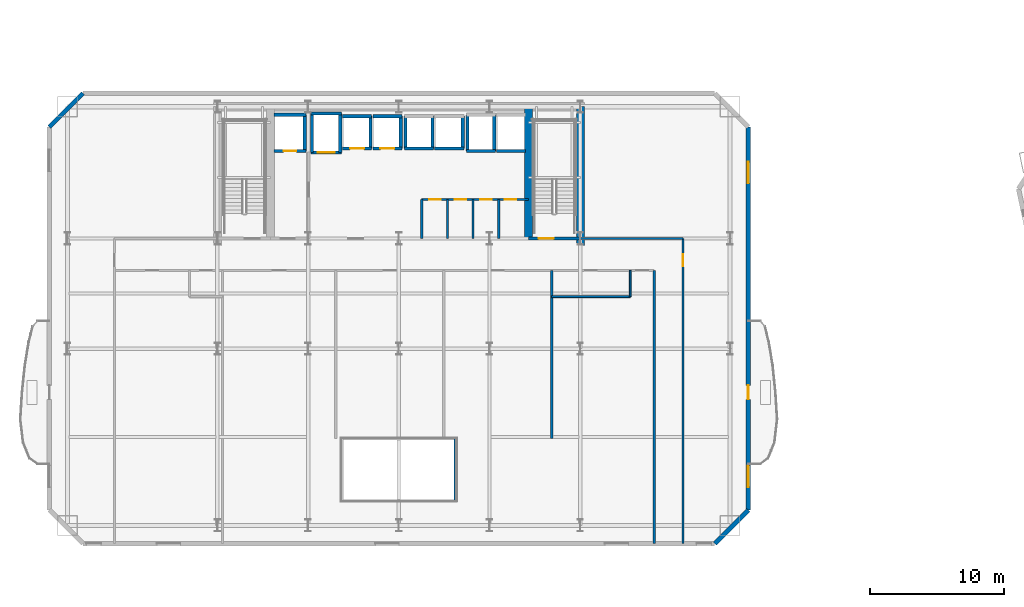
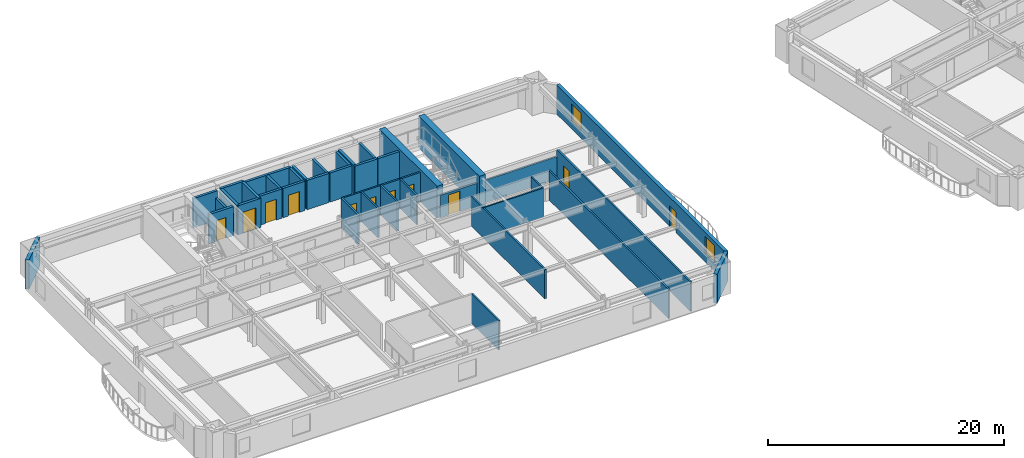
# One storey, part 6 of 15: 40 walls, 11 doors, 2 windows, 13 openings.
"""IFC4 building model written with IfcOpenShell, lengths in metres."""

import ifcopenshell
import ifcopenshell.guid

model = None  # the IFC model being written
_history = None  # IfcOwnerHistory: only IFC2X3 demands one
_inside = {}  # id of a spatial element -> (the spatial element, [elements in it])
_under = {}  # id of a project, library or spatial element -> (it, [spatial elements below it])
_declared = {}  # id of a project -> (the project, [libraries it declares])
_typed = {}  # id of a type object -> (the type object, [elements of that type])
_made_of = {}  # id of a material, layer set ... -> (it, [elements and type objects made of it])


def new_model(schema):
    """Start an empty IFC model of exactly this schema.

    Asked for "IFC4X3", IfcOpenShell would pick the latest addendum, in which some entities
    have other attributes; the version numbers below select the first issue.
    IFC2X3 requires an IfcOwnerHistory on every rooted entity: one is made here for all.
    """
    global model, _history
    if schema == "IFC4X3":
        model = ifcopenshell.file(schema_version=(4, 3, 0, 0))
    else:
        model = ifcopenshell.file(schema=schema)
    _inside.clear()
    _under.clear()
    _declared.clear()
    _typed.clear()
    _made_of.clear()
    _history = None
    if model.schema == "IFC2X3":
        org = make("IfcOrganization", Name="unknown")
        user = make(
            "IfcPersonAndOrganization",
            ThePerson=make("IfcPerson", FamilyName="unknown"),
            TheOrganization=org,
        )
        app = make(
            "IfcApplication",
            ApplicationDeveloper=org,
            Version="unknown",
            ApplicationFullName="unknown",
            ApplicationIdentifier="unknown",
        )
        _history = make(
            "IfcOwnerHistory",
            OwningUser=user,
            OwningApplication=app,
            ChangeAction="ADDED",
            CreationDate=0,
        )
    return model


def make(cls, **values):
    """One entity of the class cls with the attributes given. An attribute that is None is left unset."""
    return model.create_entity(
        cls, **{name: value for name, value in values.items() if value is not None}
    )


def rooted(cls, **values):
    """An entity with a GlobalId (a new one), such as an element, a storey or a relation."""
    return make(cls, GlobalId=ifcopenshell.guid.new(), OwnerHistory=_history, **values)


def si_unit(unit_type, name, prefix=None):
    """IfcSIUnit, for example si_unit("LENGTHUNIT", "METRE", prefix="MILLI")."""
    return make("IfcSIUnit", UnitType=unit_type, Prefix=prefix, Name=name)


def assignment(units):
    """IfcUnitAssignment: the units of a project."""
    return None if units is None else make("IfcUnitAssignment", Units=units)


def point(xyz):
    """IfcCartesianPoint."""
    return None if xyz is None else make("IfcCartesianPoint", Coordinates=xyz)


def direction(xyz):
    """IfcDirection."""
    return None if xyz is None else make("IfcDirection", DirectionRatios=xyz)


def frame(location, z_axis=None, x_axis=None):
    """IfcAxis2Placement3D, a coordinate frame: its origin and axes. An axis left out is left unset."""
    return make(
        "IfcAxis2Placement3D",
        Location=point(location),
        Axis=direction(z_axis),
        RefDirection=direction(x_axis),
    )


def frame_2d(location, x_axis=None):
    """IfcAxis2Placement2D, a coordinate frame in the plane: its origin and x axis."""
    return make(
        "IfcAxis2Placement2D", Location=point(location), RefDirection=direction(x_axis)
    )


def origin():
    """The frame at (0, 0, 0) with its axes left unset."""
    return frame((0.0, 0.0, 0.0))


def place(relative_to, where):
    """IfcLocalPlacement: puts the frame where relative to a parent placement (None: the world)."""
    return make(
        "IfcLocalPlacement", PlacementRelTo=relative_to, RelativePlacement=where
    )


def context(
    kind, dimensions, precision=None, world=None, true_north=None, identifier=None
):
    """IfcGeometricRepresentationContext, for example the 3D "Model" context."""
    return make(
        "IfcGeometricRepresentationContext",
        ContextIdentifier=identifier,
        ContextType=kind,
        CoordinateSpaceDimension=dimensions,
        Precision=precision,
        WorldCoordinateSystem=world,
        TrueNorth=true_north,
    )


def subcontext(parent, identifier, kind, view, scale=None):
    """IfcGeometricRepresentationSubContext, for example "Body" below "Model"."""
    return make(
        "IfcGeometricRepresentationSubContext",
        ContextIdentifier=identifier,
        ContextType=kind,
        ParentContext=parent,
        TargetScale=scale,
        TargetView=view,
    )


def project(units=None, contexts=None):
    """IfcProject with its units and contexts."""
    return rooted(
        "IfcProject",
        Name="project",
        RepresentationContexts=contexts,
        UnitsInContext=assignment(units),
    )


def spatial(cls, under=None, at=None, **own):
    """A site, building, storey or space (cls), placed at a placement, below another one or the project."""
    s = rooted(cls, ObjectPlacement=at, **own)
    if under is not None:
        _under.setdefault(under.id(), (under, []))[1].append(s)
    return s


def profile(cls, at=None, kind="AREA", **sizes):
    """A parametric profile (cls). Its sizes go by their IFC names, for example OverallWidth=200.0."""
    return make(cls, ProfileType=kind, Position=at, **sizes)


def rectangle(**sizes):
    """IfcRectangleProfileDef."""
    return profile("IfcRectangleProfileDef", **sizes)


def extrude(swept, where, along, depth):
    """IfcExtrudedAreaSolid: the profile swept, set in the frame where, extruded along a direction by depth."""
    return make(
        "IfcExtrudedAreaSolid",
        SweptArea=swept,
        Position=where,
        ExtrudedDirection=direction(along),
        Depth=depth,
    )


def shape(context_of_items, identifier, shape_type, items):
    """IfcShapeRepresentation: the items that make up one representation, for example the "Body"."""
    return make(
        "IfcShapeRepresentation",
        ContextOfItems=context_of_items,
        RepresentationIdentifier=identifier,
        RepresentationType=shape_type,
        Items=items,
    )


def material(Name=None, Category=None):
    """IfcMaterial."""
    return make("IfcMaterial", Name=Name, Category=Category)


def layer(
    of_material, thickness, ventilated=None, Name=None, Category=None, Priority=None
):
    """IfcMaterialLayer: one layer of a wall or slab, of a material (None: an air gap)."""
    return make(
        "IfcMaterialLayer",
        Material=of_material,
        LayerThickness=thickness,
        IsVentilated=ventilated,
        Name=Name,
        Category=Category,
        Priority=Priority,
    )


def layer_set(layers, Name=None):
    """IfcMaterialLayerSet."""
    return make("IfcMaterialLayerSet", MaterialLayers=layers, LayerSetName=Name)


def made_of(thing, what):
    """Note that an element or type object is made of a material, layer set ...; save() writes the relation."""
    if what is not None:
        _made_of.setdefault(what.id(), (what, []))[1].append(thing)
    return thing


def type_object(cls, material=None, **own):
    """A type object (cls), such as IfcWallType, which elements share."""
    return made_of(rooted(cls, **own), material)


def element(
    cls,
    number,
    at=None,
    inside=None,
    cuts=None,
    type_object=None,
    material=None,
    context=None,
    identifier="Body",
    shape_type=None,
    held_by="IfcProductDefinitionShape",
    body=None,
    shapes=None,
    **own,
):
    """One element of the class cls, such as IfcWall. Its Tag is "e" and its number.

    at: its placement. inside: the storey or other place that contains it. cuts: it is an
    opening in that element (IfcRelVoidsElement). A single representation is given by context,
    identifier, shape_type and body (its items); several are given by shapes. held_by: the class
    of the entity that holds the representations. save() writes the other relations.
    """
    e = rooted(cls, Tag="e%d" % number, ObjectPlacement=at, **own)
    if body is not None:
        shapes = [shape(context, identifier, shape_type, body)]
    if shapes is not None:
        e.Representation = make(held_by, Representations=shapes)
    if inside is not None:
        _inside.setdefault(inside.id(), (inside, []))[1].append(e)
    if cuts is not None:
        rooted(
            "IfcRelVoidsElement", RelatingBuildingElement=cuts, RelatedOpeningElement=e
        )
    if type_object is not None:
        _typed.setdefault(type_object.id(), (type_object, []))[1].append(e)
    return made_of(e, material)


def fill(opening, filler):
    """IfcRelFillsElement: the door or window that sits in an opening."""
    return rooted(
        "IfcRelFillsElement",
        RelatingOpeningElement=opening,
        RelatedBuildingElement=filler,
    )


def aggregate(whole, parts):
    """IfcRelAggregates: a whole, such as a stair, and the parts it consists of."""
    return rooted("IfcRelAggregates", RelatingObject=whole, RelatedObjects=parts)


def save(model, path):
    """Write the relations noted so far, then the file.

    IfcRelAggregates (storeys below a building ...), IfcRelContainedInSpatialStructure (elements
    in a storey), IfcRelDefinesByType, IfcRelAssociatesMaterial and IfcRelDeclares: one each for
    every whole, place, type object, material and project.
    """
    for whole, parts in _under.values():
        aggregate(whole, parts)
    for where, things in _inside.values():
        rooted(
            "IfcRelContainedInSpatialStructure",
            RelatedElements=things,
            RelatingStructure=where,
        )
    for kind, things in _typed.values():
        rooted("IfcRelDefinesByType", RelatedObjects=things, RelatingType=kind)
    for what, things in _made_of.values():
        rooted("IfcRelAssociatesMaterial", RelatedObjects=things, RelatingMaterial=what)
    for by, libraries in _declared.values():
        rooted("IfcRelDeclares", RelatingContext=by, RelatedDefinitions=libraries)
    model.write(path)


model = new_model("IFC4")

# Units and contexts
model_context = context("Model", 3, precision=1e-05, world=origin(), true_north=direction((0.0, 1.0)))
body_context = subcontext(model_context, "Body", "Model", "MODEL_VIEW")
ifc_project = project(units=[si_unit("LENGTHUNIT", "METRE"), si_unit("AREAUNIT", "SQUARE_METRE"), si_unit("VOLUMEUNIT", "CUBIC_METRE"), si_unit("PLANEANGLEUNIT", "RADIAN"), si_unit("MASSUNIT", "GRAM", prefix="KILO")], contexts=[model_context])

# Site, building, storey
site_placement = place(None, origin())
site = spatial("IfcSite", under=ifc_project, at=site_placement, CompositionType="ELEMENT")
building_placement = place(site_placement, origin())
building = spatial("IfcBuilding", under=site, at=building_placement, Name="Haevon Station Towers", CompositionType="ELEMENT")
storey_placement = place(building_placement, frame((0.0, 0.0, 63.60009765625)))
storey = spatial("IfcBuildingStorey", under=building, at=storey_placement, Name="L16", CompositionType="ELEMENT", Elevation=63.60009765625)

# Wall, opening, door
ifc_material_1 = material(Name="Gypsum board on steel stud", Category="steel")
ifc_layer_1 = layer(ifc_material_1, 0.199951171875)
ifc_layer_set_1 = layer_set([ifc_layer_1], Name="Gypsum board on steel stud")
wall_type_1 = type_object("IfcWallType", Name="WL-COR200", PredefinedType="PARTITIONING", material=ifc_layer_set_1)
wall_1_placement = place(storey_placement, frame((47.14990234375, 38.199951171875, 0.0), z_axis=(0.0, 0.0, 1.0), x_axis=(1.0, 0.0, 0.0)))
wall_1 = element("IfcWall", 1, at=wall_1_placement, inside=storey, type_object=wall_type_1, Name="WL-ST-ST2-L16", PredefinedType="PARTITIONING", context=body_context, shape_type="SweptSolid", body=[
    extrude(rectangle(XDim=3.85009765625, YDim=0.199951171875, at=frame_2d((1.925048828125, 0.0))), origin(), (0.0, 0.0, 1.0), 2.329833984375),
])
opening_1_placement = place(wall_1_placement, frame((0.75, 0.0, 0.0)))
opening_1 = element("IfcOpeningElement", 2, at=opening_1_placement, cuts=wall_1, Name="Opening DR-ST-ST2-L16", PredefinedType="OPENING", context=body_context, shape_type="SweptSolid", body=[
    extrude(rectangle(XDim=1.1201171875, YDim=2.10009765625, at=frame_2d((0.56005859375, 1.050048828125))), frame((0.0, 0.10986328125, 0.0), z_axis=(0.0, -1.0, 0.0), x_axis=(1.0, 0.0, 0.0)), (0.0, 0.0, 1.0), 0.219970703125),
])
ifc_material_2 = material(Name="Engineered oak timber", Category="wood")
door_type_1 = type_object("IfcDoorType", Name="DR-ST-1120", OperationType="NOTDEFINED", PredefinedType="DOOR", material=ifc_material_2)
door_1_placement = place(opening_1_placement, origin())
door_1 = element("IfcDoor", 3, at=door_1_placement, inside=storey, type_object=door_type_1, Name="L16 Escape Stair ST2 Fire Door", OperationType="SINGLE_SWING_RIGHT", OverallHeight=2.10009765625, OverallWidth=1.1201171875, PredefinedType="DOOR", context=body_context, shape_type="SweptSolid", body=[
    extrude(rectangle(XDim=1.1201171875, YDim=2.10009765625, at=frame_2d((0.56005859375, 1.050048828125))), frame((0.0, 0.02490234375, 0.0), z_axis=(0.0, -1.0, 0.0), x_axis=(1.0, 0.0, 0.0)), (0.0, 0.0, 1.0), 0.050048828125),
])
fill(opening_1, door_1)

# Walls
ifc_material_3 = material(Name="Concrete C60/75", Category="concrete")
ifc_layer_2 = layer(ifc_material_3, 0.60009765625)
ifc_layer_set_2 = layer_set([ifc_layer_2], Name="Concrete C60/75")
wall_type_2 = type_object("IfcWallType", Name="WL-CR600", PredefinedType="SHEAR", material=ifc_layer_set_2)
wall_2_placement = place(storey_placement, frame((51.0, 37.679931640625, 0.0), z_axis=(0.0, 0.0, 1.0), x_axis=(0.0, 1.0, 0.0)))
element("IfcWall", 4, at=wall_2_placement, inside=storey, type_object=wall_type_2, Name="WL-T1CR-L16-E", PredefinedType="SHEAR", context=body_context, shape_type="SweptSolid", body=[
    extrude(rectangle(XDim=10.320068359375, YDim=0.60009765625, at=frame_2d((5.16015625, 0.0))), origin(), (0.0, 0.0, 1.0), 3.2998046875),
])
wall_3_placement = place(storey_placement, frame((47.14990234375, 38.199951171875, 0.0), z_axis=(0.0, 0.0, 1.0), x_axis=(0.0, 1.0, 0.0)))
element("IfcWall", 5, at=wall_3_placement, inside=storey, type_object=wall_type_2, Name="WL-T1CR-L16-M2", PredefinedType="SHEAR", context=body_context, shape_type="SweptSolid", body=[
    extrude(rectangle(XDim=9.800048828125, YDim=0.60009765625, at=frame_2d((4.89990234375, 0.0))), origin(), (0.0, 0.0, 1.0), 3.2998046875),
])
ifc_material_4 = material(Name="Precast concrete C45/55", Category="concrete")
ifc_layer_3 = layer(ifc_material_4, 0.340087890625)
ifc_layer_set_3 = layer_set([ifc_layer_3], Name="Precast concrete C45/55")
wall_type_3 = type_object("IfcWallType", Name="WL-EXT-PIER340", PredefinedType="SOLIDWALL", material=ifc_layer_set_3)
wall_4_placement = place(storey_placement, frame((11.5, 46.5, 0.0), z_axis=(0.0, 0.0, 1.0), x_axis=(0.707106781187, 0.707106781187, 0.0)))
element("IfcWall", 6, at=wall_4_placement, inside=storey, type_object=wall_type_3, Name="WL-T1-L16-NWC", PredefinedType="SOLIDWALL", context=body_context, shape_type="SweptSolid", body=[
    extrude(rectangle(XDim=3.53564453125, YDim=0.340087890625, at=frame_2d((1.767822265625, 0.0))), origin(), (0.0, 0.0, 1.0), 3.02978515625),
])

# Wall, openings, door, windows
wall_5_placement = place(storey_placement, frame((63.5, 46.5, 0.0), z_axis=(0.0, 0.0, 1.0), x_axis=(0.0, -1.0, 0.0)))
wall_5 = element("IfcWall", 7, at=wall_5_placement, inside=storey, type_object=wall_type_3, Name="WL-T1-L16-E", PredefinedType="SOLIDWALL", context=body_context, shape_type="SweptSolid", body=[
    extrude(rectangle(XDim=28.5, YDim=0.340087890625, at=frame_2d((14.25, 0.0))), origin(), (0.0, 0.0, 1.0), 3.02978515625),
])
opening_2_placement = place(wall_5_placement, frame((19.22509765625, 0.0, 0.0)))
opening_2 = element("IfcOpeningElement", 8, at=opening_2_placement, cuts=wall_5, Name="Opening DR-T1-SCAL-L16-E", PredefinedType="OPENING", context=body_context, shape_type="SweptSolid", body=[
    extrude(rectangle(XDim=1.050048828125, YDim=2.10009765625, at=frame_2d((0.52490234375, 1.050048828125))), frame((0.0, 0.179931640625, 0.0), z_axis=(0.0, -1.0, 0.0), x_axis=(1.0, 0.0, 0.0)), (0.0, 0.0, 1.0), 0.360107421875),
])
opening_3_placement = place(wall_5_placement, frame((2.607177734375, 0.0, 0.800048828125)))
opening_3 = element("IfcOpeningElement", 9, at=opening_3_placement, cuts=wall_5, Name="Opening WN-END160", PredefinedType="OPENING", context=body_context, shape_type="SweptSolid", body=[
    extrude(rectangle(XDim=1.60009765625, YDim=1.800048828125, at=frame_2d((0.800048828125, 0.89990234375))), frame((0.0, 0.179931640625, 0.0), z_axis=(0.0, -1.0, 0.0), x_axis=(1.0, 0.0, 0.0)), (0.0, 0.0, 1.0), 0.360107421875),
])
opening_4_placement = place(wall_5_placement, frame((25.1962890625, 0.0, 0.800048828125)))
opening_4 = element("IfcOpeningElement", 10, at=opening_4_placement, cuts=wall_5, Name="Opening WN-END160", PredefinedType="OPENING", context=body_context, shape_type="SweptSolid", body=[
    extrude(rectangle(XDim=1.60009765625, YDim=1.800048828125, at=frame_2d((0.800048828125, 0.89990234375))), frame((0.0, 0.179931640625, 0.0), z_axis=(0.0, -1.0, 0.0), x_axis=(1.0, 0.0, 0.0)), (0.0, 0.0, 1.0), 0.360107421875),
])
ifc_material_5 = material(Name="Thermally broken anodised aluminium and laminated safety glass", Category="aluminium")
door_type_2 = type_object("IfcDoorType", Name="DR-BALC-1050", OperationType="NOTDEFINED", PredefinedType="DOOR", material=ifc_material_5)
door_2_placement = place(opening_2_placement, origin())
door_2 = element("IfcDoor", 11, at=door_2_placement, inside=storey, type_object=door_type_2, Name="Tower 1 L16 East Scalloped Balcony Door", OperationType="SINGLE_SWING_RIGHT", OverallHeight=2.10009765625, OverallWidth=1.050048828125, PredefinedType="DOOR", context=body_context, shape_type="SweptSolid", body=[
    extrude(rectangle(XDim=1.050048828125, YDim=2.10009765625, at=frame_2d((0.52490234375, 1.050048828125))), frame((0.0, 0.02490234375, 0.0), z_axis=(0.0, -1.0, 0.0), x_axis=(1.0, 0.0, 0.0)), (0.0, 0.0, 1.0), 0.050048828125),
])
fill(opening_2, door_2)
ifc_material_6 = material(Name="Low-E triple glazing in thermally broken aluminium", Category="aluminium")
window_type = type_object("IfcWindowType", Name="WN-END160", PartitioningType="SINGLE_PANEL", PredefinedType="WINDOW", material=ifc_material_6)
window_1_placement = place(opening_3_placement, origin())
window_1 = element("IfcWindow", 12, at=window_1_placement, inside=storey, type_object=window_type, Name="WN-T1-L16-E01", OverallHeight=1.800048828125, OverallWidth=1.60009765625, PartitioningType="SINGLE_PANEL", PredefinedType="WINDOW", context=body_context, shape_type="SweptSolid", body=[
    extrude(rectangle(XDim=1.60009765625, YDim=1.800048828125, at=frame_2d((0.800048828125, 0.89990234375))), frame((0.0, 0.030029296875, 0.0), z_axis=(0.0, -1.0, 0.0), x_axis=(1.0, 0.0, 0.0)), (0.0, 0.0, 1.0), 0.06005859375),
])
fill(opening_3, window_1)
window_2_placement = place(opening_4_placement, origin())
window_2 = element("IfcWindow", 13, at=window_2_placement, inside=storey, type_object=window_type, Name="WN-T1-L16-E02", OverallHeight=1.800048828125, OverallWidth=1.60009765625, PartitioningType="SINGLE_PANEL", PredefinedType="WINDOW", context=body_context, shape_type="SweptSolid", body=[
    extrude(rectangle(XDim=1.60009765625, YDim=1.800048828125, at=frame_2d((0.800048828125, 0.89990234375))), frame((0.0, 0.030029296875, 0.0), z_axis=(0.0, -1.0, 0.0), x_axis=(1.0, 0.0, 0.0)), (0.0, 0.0, 1.0), 0.06005859375),
])
fill(opening_4, window_2)

# Walls
wall_6_placement = place(storey_placement, frame((63.5, 18.0, 0.0), z_axis=(0.0, 0.0, 1.0), x_axis=(-0.707106781187, -0.707106781187, 0.0)))
element("IfcWall", 14, at=wall_6_placement, inside=storey, type_object=wall_type_3, Name="WL-T1-L16-SEC", PredefinedType="SOLIDWALL", context=body_context, shape_type="SweptSolid", body=[
    extrude(rectangle(XDim=3.53564453125, YDim=0.340087890625, at=frame_2d((1.767822265625, 0.0))), origin(), (0.0, 0.0, 1.0), 3.02978515625),
])
ifc_layer_4 = layer(ifc_material_1, 0.125)
ifc_layer_set_4 = layer_set([ifc_layer_4], Name="Gypsum board on steel stud")
wall_type_4 = type_object("IfcWallType", Name="WL-PRT125", PredefinedType="PARTITIONING", material=ifc_layer_set_4)
wall_7_placement = place(storey_placement, frame((54.719970703125, 33.8701171875, 0.0), z_axis=(0.0, 0.0, 1.0), x_axis=(0.0, 1.0, 0.0)))
element("IfcWall", 15, at=wall_7_placement, inside=storey, type_object=wall_type_4, Name="WL-T1PT-L16-19", PredefinedType="PARTITIONING", context=body_context, shape_type="SweptSolid", body=[
    extrude(rectangle(XDim=1.949951171875, YDim=0.125, at=frame_2d((0.97509765625, 0.0))), origin(), (0.0, 0.0, 1.0), 3.02978515625),
])
ifc_layer_5 = layer(ifc_material_1, 0.139892578125)
ifc_layer_set_5 = layer_set([ifc_layer_5], Name="Gypsum board on steel stud")
wall_type_5 = type_object("IfcWallType", Name="WL-PRT140", PredefinedType="PARTITIONING", material=ifc_layer_set_5)
wall_8_placement = place(storey_placement, frame((48.87158203125, 33.8701171875, 0.0), z_axis=(0.0, 0.0, 1.0), x_axis=(1.0, 0.0, 0.0)))
element("IfcWall", 16, at=wall_8_placement, inside=storey, type_object=wall_type_5, Name="WL-T1PT-L16-18", PredefinedType="PARTITIONING", context=body_context, shape_type="SweptSolid", body=[
    extrude(rectangle(XDim=5.848388671875, YDim=0.139892578125, at=frame_2d((2.92431640625, 0.0))), origin(), (0.0, 0.0, 1.0), 3.02978515625),
])
ifc_layer_6 = layer(ifc_material_1, 0.159912109375)
ifc_layer_set_6 = layer_set([ifc_layer_6], Name="Gypsum board on steel stud")
wall_type_6 = type_object("IfcWallType", Name="WL-PRT160", PredefinedType="PARTITIONING", material=ifc_layer_set_6)
for number, where, z_axis, x_axis, name in (
    (17, (39.199951171875, 38.199951171875, 0.0), (0.0, 0.0, 1.0), (0.0, 1.0, 0.0), "WL-T1CW-L16-01"),
    (18, (41.1298828125, 38.199951171875, 0.0), (0.0, 0.0, 1.0), (0.0, 1.0, 0.0), "WL-T1CW-L16-02"),
    (19, (43.030029296875, 38.199951171875, 0.0), (0.0, 0.0, 1.0), (0.0, 1.0, 0.0), "WL-T1CW-L16-03"),
    (20, (44.929931640625, 38.199951171875, 0.0), (0.0, 0.0, 1.0), (0.0, 1.0, 0.0), "WL-T1CW-L16-04"),
):
    element("IfcWall", number, at=place(storey_placement, frame(where, z_axis=z_axis, x_axis=x_axis)), inside=storey, type_object=wall_type_6, Name=name, PredefinedType="PARTITIONING", context=body_context, shape_type="SweptSolid", body=[
        extrude(rectangle(XDim=2.900146484375, YDim=0.159912109375, at=frame_2d((1.4501953125, 0.0))), origin(), (0.0, 0.0, 1.0), 3.02978515625),
    ])

# Wall, openings, doors
wall_9_placement = place(storey_placement, frame((39.199951171875, 41.10009765625, 0.0), z_axis=(0.0, 0.0, 1.0), x_axis=(1.0, 0.0, 0.0)))
wall_9 = element("IfcWall", 21, at=wall_9_placement, inside=storey, type_object=wall_type_6, Name="WL-T1CW-L16-05", PredefinedType="PARTITIONING", context=body_context, shape_type="SweptSolid", body=[
    extrude(rectangle(XDim=7.949951171875, YDim=0.159912109375, at=frame_2d((3.97509765625, 0.0))), origin(), (0.0, 0.0, 1.0), 3.02978515625),
])
opening_5_placement = place(wall_9_placement, frame((0.56005859375, 0.0, 0.0)))
opening_5 = element("IfcOpeningElement", 22, at=opening_5_placement, cuts=wall_9, Name="Opening DR-WL-T1CW-L16-05-1", PredefinedType="OPENING", context=body_context, shape_type="SweptSolid", body=[
    extrude(rectangle(XDim=0.85009765625, YDim=2.050048828125, at=frame_2d((0.425048828125, 1.02490234375))), frame((0.0, 0.08984375, 0.0), z_axis=(0.0, -1.0, 0.0), x_axis=(1.0, 0.0, 0.0)), (0.0, 0.0, 1.0), 0.179931640625),
])
opening_6_placement = place(wall_9_placement, frame((2.455078125, 0.0, 0.0)))
opening_6 = element("IfcOpeningElement", 23, at=opening_6_placement, cuts=wall_9, Name="Opening DR-WL-T1CW-L16-05-2", PredefinedType="OPENING", context=body_context, shape_type="SweptSolid", body=[
    extrude(rectangle(XDim=0.85009765625, YDim=2.050048828125, at=frame_2d((0.425048828125, 1.02490234375))), frame((0.0, 0.08984375, 0.0), z_axis=(0.0, -1.0, 0.0), x_axis=(1.0, 0.0, 0.0)), (0.0, 0.0, 1.0), 0.179931640625),
])
opening_7_placement = place(wall_9_placement, frame((4.35498046875, 0.0, 0.0)))
opening_7 = element("IfcOpeningElement", 24, at=opening_7_placement, cuts=wall_9, Name="Opening DR-WL-T1CW-L16-05-3", PredefinedType="OPENING", context=body_context, shape_type="SweptSolid", body=[
    extrude(rectangle(XDim=0.85009765625, YDim=2.050048828125, at=frame_2d((0.425048828125, 1.02490234375))), frame((0.0, 0.08984375, 0.0), z_axis=(0.0, -1.0, 0.0), x_axis=(1.0, 0.0, 0.0)), (0.0, 0.0, 1.0), 0.179931640625),
])
opening_8_placement = place(wall_9_placement, frame((6.179931640625, 0.0, 0.0)))
opening_8 = element("IfcOpeningElement", 25, at=opening_8_placement, cuts=wall_9, Name="Opening DR-WL-T1CW-L16-05-4", PredefinedType="OPENING", context=body_context, shape_type="SweptSolid", body=[
    extrude(rectangle(XDim=0.85009765625, YDim=2.050048828125, at=frame_2d((0.425048828125, 1.02490234375))), frame((0.0, 0.08984375, 0.0), z_axis=(0.0, -1.0, 0.0), x_axis=(1.0, 0.0, 0.0)), (0.0, 0.0, 1.0), 0.179931640625),
])
door_type_3 = type_object("IfcDoorType", Name="DR-FD30-850", OperationType="NOTDEFINED", PredefinedType="DOOR", material=ifc_material_2)
door_3_placement = place(opening_5_placement, origin())
door_3 = element("IfcDoor", 26, at=door_3_placement, inside=storey, type_object=door_type_3, Name="L16 Tower 1 Core Room Door 5-1", OperationType="SINGLE_SWING_RIGHT", OverallHeight=2.050048828125, OverallWidth=0.85009765625, PredefinedType="DOOR", context=body_context, shape_type="SweptSolid", body=[
    extrude(rectangle(XDim=0.85009765625, YDim=2.050048828125, at=frame_2d((0.425048828125, 1.02490234375))), frame((0.0, 0.02490234375, 0.0), z_axis=(0.0, -1.0, 0.0), x_axis=(1.0, 0.0, 0.0)), (0.0, 0.0, 1.0), 0.050048828125),
])
fill(opening_5, door_3)
door_4_placement = place(opening_6_placement, origin())
door_4 = element("IfcDoor", 27, at=door_4_placement, inside=storey, type_object=door_type_3, Name="L16 Tower 1 Core Room Door 5-2", OperationType="SINGLE_SWING_LEFT", OverallHeight=2.050048828125, OverallWidth=0.85009765625, PredefinedType="DOOR", context=body_context, shape_type="SweptSolid", body=[
    extrude(rectangle(XDim=0.85009765625, YDim=2.050048828125, at=frame_2d((0.425048828125, 1.02490234375))), frame((0.0, 0.02490234375, 0.0), z_axis=(0.0, -1.0, 0.0), x_axis=(1.0, 0.0, 0.0)), (0.0, 0.0, 1.0), 0.050048828125),
])
fill(opening_6, door_4)
door_5_placement = place(opening_7_placement, origin())
door_5 = element("IfcDoor", 28, at=door_5_placement, inside=storey, type_object=door_type_3, Name="L16 Tower 1 Core Room Door 5-3", OperationType="SINGLE_SWING_RIGHT", OverallHeight=2.050048828125, OverallWidth=0.85009765625, PredefinedType="DOOR", context=body_context, shape_type="SweptSolid", body=[
    extrude(rectangle(XDim=0.85009765625, YDim=2.050048828125, at=frame_2d((0.425048828125, 1.02490234375))), frame((0.0, 0.02490234375, 0.0), z_axis=(0.0, -1.0, 0.0), x_axis=(1.0, 0.0, 0.0)), (0.0, 0.0, 1.0), 0.050048828125),
])
fill(opening_7, door_5)
door_6_placement = place(opening_8_placement, origin())
door_6 = element("IfcDoor", 29, at=door_6_placement, inside=storey, type_object=door_type_3, Name="L16 Tower 1 Core Room Door 5-4", OperationType="SINGLE_SWING_LEFT", OverallHeight=2.050048828125, OverallWidth=0.85009765625, PredefinedType="DOOR", context=body_context, shape_type="SweptSolid", body=[
    extrude(rectangle(XDim=0.85009765625, YDim=2.050048828125, at=frame_2d((0.425048828125, 1.02490234375))), frame((0.0, 0.02490234375, 0.0), z_axis=(0.0, -1.0, 0.0), x_axis=(1.0, 0.0, 0.0)), (0.0, 0.0, 1.0), 0.050048828125),
])
fill(opening_8, door_6)

# Walls
wall_10_placement = place(storey_placement, frame((56.5, 15.5, 0.0), z_axis=(0.0, 0.0, 1.0), x_axis=(0.0, 1.0, 0.0)))
element("IfcWall", 30, at=wall_10_placement, inside=storey, type_object=wall_type_6, Name="WL-T1PT-L16-01", PredefinedType="PARTITIONING", context=body_context, shape_type="SweptSolid", body=[
    extrude(rectangle(XDim=20.320068359375, YDim=0.159912109375, at=frame_2d((10.16015625, 0.0))), origin(), (0.0, 0.0, 1.0), 3.02978515625),
])
wall_11_placement = place(storey_placement, frame((51.0, 38.199951171875, 0.0), z_axis=(0.0, 0.0, 1.0), x_axis=(1.0, 0.0, 0.0)))
element("IfcWall", 31, at=wall_11_placement, inside=storey, type_object=wall_type_6, Name="WL-T1PT-L16-03", PredefinedType="PARTITIONING", context=body_context, shape_type="SweptSolid", body=[
    extrude(rectangle(XDim=7.64990234375, YDim=0.159912109375, at=frame_2d((3.824951171875, 0.0))), origin(), (0.0, 0.0, 1.0), 2.329833984375),
])

# Wall, opening, door
wall_12_placement = place(storey_placement, frame((58.64990234375, 15.5, 0.0), z_axis=(0.0, 0.0, 1.0), x_axis=(0.0, 1.0, 0.0)))
wall_12 = element("IfcWall", 32, at=wall_12_placement, inside=storey, type_object=wall_type_6, Name="WL-T1PT-L16-05", PredefinedType="PARTITIONING", context=body_context, shape_type="SweptSolid", body=[
    extrude(rectangle(XDim=22.699951171875, YDim=0.159912109375, at=frame_2d((11.35009765625, 0.0))), origin(), (0.0, 0.0, 1.0), 3.02978515625),
])
opening_9_placement = place(wall_12_placement, frame((20.639892578125, 0.0, 0.0)))
opening_9 = element("IfcOpeningElement", 33, at=opening_9_placement, cuts=wall_12, Name="Opening DR-WL-T1PT-L16-05-01", PredefinedType="OPENING", context=body_context, shape_type="SweptSolid", body=[
    extrude(rectangle(XDim=0.89990234375, YDim=2.050048828125, at=frame_2d((0.449951171875, 1.02490234375))), frame((0.0, 0.08984375, 0.0), z_axis=(0.0, -1.0, 0.0), x_axis=(1.0, 0.0, 0.0)), (0.0, 0.0, 1.0), 0.179931640625),
])
door_type_4 = type_object("IfcDoorType", Name="DR-INT-900", OperationType="NOTDEFINED", PredefinedType="DOOR", material=ifc_material_2)
door_7_placement = place(opening_9_placement, origin())
door_7 = element("IfcDoor", 34, at=door_7_placement, inside=storey, type_object=door_type_4, Name="L16 Tower 1 Room Door 5-1", OperationType="SINGLE_SWING_LEFT", OverallHeight=2.050048828125, OverallWidth=0.89990234375, PredefinedType="DOOR", context=body_context, shape_type="SweptSolid", body=[
    extrude(rectangle(XDim=0.89990234375, YDim=2.050048828125, at=frame_2d((0.449951171875, 1.02490234375))), frame((0.0, 0.02490234375, 0.0), z_axis=(0.0, -1.0, 0.0), x_axis=(1.0, 0.0, 0.0)), (0.0, 0.0, 1.0), 0.050048828125),
])
fill(opening_9, door_7)

# Walls
wall_13_placement = place(storey_placement, frame((41.699951171875, 18.699951171875, 0.0), z_axis=(0.0, 0.0, 1.0), x_axis=(0.0, 1.0, 0.0)))
element("IfcWall", 35, at=wall_13_placement, inside=storey, type_object=wall_type_6, Name="WL-T1PT-L16-09", PredefinedType="PARTITIONING", context=body_context, shape_type="SweptSolid", body=[
    extrude(rectangle(XDim=4.60009765625, YDim=0.159912109375, at=frame_2d((2.300048828125, 0.0))), origin(), (0.0, 0.0, 1.0), 3.02978515625),
])
wall_14_placement = place(storey_placement, frame((48.87158203125, 23.300048828125, 0.0), z_axis=(0.0, 0.0, 1.0), x_axis=(0.0, 1.0, 0.0)))
element("IfcWall", 36, at=wall_14_placement, inside=storey, type_object=wall_type_6, Name="WL-T1PT-L16-16", PredefinedType="PARTITIONING", context=body_context, shape_type="SweptSolid", body=[
    extrude(rectangle(XDim=12.52001953125, YDim=0.159912109375, at=frame_2d((6.260009765625, 0.0))), origin(), (0.0, 0.0, 1.0), 3.02978515625),
])

# Wall, opening, door
ifc_material_7 = material(Name="Concrete C40/50", Category="concrete")
ifc_layer_7 = layer(ifc_material_7, 0.239990234375)
ifc_layer_set_7 = layer_set([ifc_layer_7], Name="Concrete C40/50")
wall_type_7 = type_object("IfcWallType", Name="WL-SHF240", PredefinedType="PARTITIONING", material=ifc_layer_set_7)
wall_15_placement = place(storey_placement, frame((28.219970703125, 44.699951171875, 0.0), z_axis=(0.0, 0.0, 1.0), x_axis=(1.0, 0.0, 0.0)))
wall_15 = element("IfcWall", 37, at=wall_15_placement, inside=storey, type_object=wall_type_7, Name="WL-SHF-FL1-L16", PredefinedType="PARTITIONING", context=body_context, shape_type="SweptSolid", body=[
    extrude(rectangle(XDim=2.360107421875, YDim=0.239990234375, at=frame_2d((1.18017578125, 0.0))), origin(), (0.0, 0.0, 1.0), 3.02978515625),
])
opening_10_placement = place(wall_15_placement, frame((0.705078125, 0.0, 0.0)))
opening_10 = element("IfcOpeningElement", 38, at=opening_10_placement, cuts=wall_15, Name="Opening LD-FL1-L16", PredefinedType="OPENING", context=body_context, shape_type="SweptSolid", body=[
    extrude(rectangle(XDim=0.949951171875, YDim=2.14990234375, at=frame_2d((0.47509765625, 1.074951171875))), frame((0.0, 0.1298828125, 0.0), z_axis=(0.0, -1.0, 0.0), x_axis=(1.0, 0.0, 0.0)), (0.0, 0.0, 1.0), 0.260009765625),
])
ifc_material_8 = material(Name="Stainless steel and rated core", Category="steel")
door_type_5 = type_object("IfcDoorType", Name="LD-FL950", OperationType="SLIDING_TO_LEFT", PredefinedType="DOOR", material=ifc_material_8)
door_8_placement = place(opening_10_placement, origin())
door_8 = element("IfcDoor", 39, at=door_8_placement, inside=storey, type_object=door_type_5, Name="L16 Lift FL1 Sliding Landing Door", OperationType="SLIDING_TO_LEFT", OverallHeight=2.14990234375, OverallWidth=0.949951171875, PredefinedType="DOOR", context=body_context, shape_type="SweptSolid", body=[
    extrude(rectangle(XDim=0.949951171875, YDim=2.14990234375, at=frame_2d((0.47509765625, 1.074951171875))), frame((0.0, 0.02490234375, 0.0), z_axis=(0.0, -1.0, 0.0), x_axis=(1.0, 0.0, 0.0)), (0.0, 0.0, 1.0), 0.050048828125),
])
fill(opening_10, door_8)

# Walls
wall_16_placement = place(storey_placement, frame((28.219970703125, 47.39990234375, 0.0), z_axis=(0.0, 0.0, 1.0), x_axis=(1.0, 0.0, 0.0)))
element("IfcWall", 40, at=wall_16_placement, inside=storey, type_object=wall_type_7, Name="WL-SHF-FL1-L16-N", PredefinedType="PARTITIONING", context=body_context, shape_type="SweptSolid", body=[
    extrude(rectangle(XDim=2.360107421875, YDim=0.239990234375, at=frame_2d((1.18017578125, 0.0))), origin(), (0.0, 0.0, 1.0), 3.02978515625),
])
wall_17_placement = place(storey_placement, frame((30.5, 44.699951171875, 0.0), z_axis=(0.0, 0.0, 1.0), x_axis=(0.0, 1.0, 0.0)))
element("IfcWall", 41, at=wall_17_placement, inside=storey, type_object=wall_type_7, Name="WL-SHF-FL1-L16-E", PredefinedType="PARTITIONING", context=body_context, shape_type="SweptSolid", body=[
    extrude(rectangle(XDim=2.699951171875, YDim=0.239990234375, at=frame_2d((1.35009765625, 0.0))), origin(), (0.0, 0.0, 1.0), 2.329833984375),
])

# Wall, opening, door
wall_18_placement = place(storey_placement, frame((30.969970703125, 44.60009765625, 0.0), z_axis=(0.0, 0.0, 1.0), x_axis=(1.0, 0.0, 0.0)))
wall_18 = element("IfcWall", 42, at=wall_18_placement, inside=storey, type_object=wall_type_7, Name="WL-SHF-SL1-L16", PredefinedType="PARTITIONING", context=body_context, shape_type="SweptSolid", body=[
    extrude(rectangle(XDim=2.260009765625, YDim=0.239990234375, at=frame_2d((1.1298828125, 0.0))), origin(), (0.0, 0.0, 1.0), 3.02978515625),
])
opening_11_placement = place(wall_18_placement, frame((0.5048828125, 0.0, 0.0)))
opening_11 = element("IfcOpeningElement", 43, at=opening_11_placement, cuts=wall_18, Name="Opening LD-SL1-L16", PredefinedType="OPENING", context=body_context, shape_type="SweptSolid", body=[
    extrude(rectangle(XDim=1.25, YDim=2.199951171875, at=frame_2d((0.625, 1.10009765625))), frame((0.0, 0.1298828125, 0.0), z_axis=(0.0, -1.0, 0.0), x_axis=(1.0, 0.0, 0.0)), (0.0, 0.0, 1.0), 0.260009765625),
])
door_type_6 = type_object("IfcDoorType", Name="LD-SL1250", OperationType="SLIDING_TO_LEFT", PredefinedType="DOOR", material=ifc_material_8)
door_9_placement = place(opening_11_placement, origin())
door_9 = element("IfcDoor", 44, at=door_9_placement, inside=storey, type_object=door_type_6, Name="L16 Lift SL1 Sliding Landing Door", OperationType="SLIDING_TO_LEFT", OverallHeight=2.199951171875, OverallWidth=1.25, PredefinedType="DOOR", context=body_context, shape_type="SweptSolid", body=[
    extrude(rectangle(XDim=1.25, YDim=2.199951171875, at=frame_2d((0.625, 1.10009765625))), frame((0.0, 0.02490234375, 0.0), z_axis=(0.0, -1.0, 0.0), x_axis=(1.0, 0.0, 0.0)), (0.0, 0.0, 1.0), 0.050048828125),
])
fill(opening_11, door_9)

# Walls
wall_19_placement = place(storey_placement, frame((30.969970703125, 47.5, 0.0), z_axis=(0.0, 0.0, 1.0), x_axis=(1.0, 0.0, 0.0)))
element("IfcWall", 45, at=wall_19_placement, inside=storey, type_object=wall_type_7, Name="WL-SHF-SL1-L16-N", PredefinedType="PARTITIONING", context=body_context, shape_type="SweptSolid", body=[
    extrude(rectangle(XDim=2.260009765625, YDim=0.239990234375, at=frame_2d((1.1298828125, 0.0))), origin(), (0.0, 0.0, 1.0), 3.02978515625),
])
for number, where, z_axis, x_axis, name in (
    (46, (31.050048828125, 44.60009765625, 0.0), (0.0, 0.0, 1.0), (0.0, 1.0, 0.0), "WL-SHF-SL1-L16-W"),
    (47, (33.14990234375, 44.60009765625, 0.0), (0.0, 0.0, 1.0), (0.0, 1.0, 0.0), "WL-SHF-SL1-L16-E"),
):
    element("IfcWall", number, at=place(storey_placement, frame(where, z_axis=z_axis, x_axis=x_axis)), inside=storey, type_object=wall_type_7, Name=name, PredefinedType="PARTITIONING", context=body_context, shape_type="SweptSolid", body=[
        extrude(rectangle(XDim=2.89990234375, YDim=0.239990234375, at=frame_2d((1.449951171875, 0.0))), origin(), (0.0, 0.0, 1.0), 3.02978515625),
    ])

# Wall, opening, door
wall_20_placement = place(storey_placement, frame((33.320068359375, 44.89990234375, 0.0), z_axis=(0.0, 0.0, 1.0), x_axis=(1.0, 0.0, 0.0)))
wall_20 = element("IfcWall", 48, at=wall_20_placement, inside=storey, type_object=wall_type_7, Name="WL-SHF-PL1-L16", PredefinedType="PARTITIONING", context=body_context, shape_type="SweptSolid", body=[
    extrude(rectangle(XDim=2.159912109375, YDim=0.239990234375, at=frame_2d((1.080078125, 0.0))), origin(), (0.0, 0.0, 1.0), 3.02978515625),
])
opening_12_placement = place(wall_20_placement, frame((0.554931640625, 0.0, 0.0)))
opening_12 = element("IfcOpeningElement", 49, at=opening_12_placement, cuts=wall_20, Name="Opening LD-PL1-L16", PredefinedType="OPENING", context=body_context, shape_type="SweptSolid", body=[
    extrude(rectangle(XDim=1.050048828125, YDim=2.14990234375, at=frame_2d((0.52490234375, 1.074951171875))), frame((0.0, 0.1298828125, 0.0), z_axis=(0.0, -1.0, 0.0), x_axis=(1.0, 0.0, 0.0)), (0.0, 0.0, 1.0), 0.260009765625),
])
door_type_7 = type_object("IfcDoorType", Name="LD-PL1050", OperationType="SLIDING_TO_LEFT", PredefinedType="DOOR", material=ifc_material_8)
door_10_placement = place(opening_12_placement, origin())
door_10 = element("IfcDoor", 50, at=door_10_placement, inside=storey, type_object=door_type_7, Name="L16 Lift PL1 Sliding Landing Door", OperationType="SLIDING_TO_LEFT", OverallHeight=2.14990234375, OverallWidth=1.050048828125, PredefinedType="DOOR", context=body_context, shape_type="SweptSolid", body=[
    extrude(rectangle(XDim=1.050048828125, YDim=2.14990234375, at=frame_2d((0.52490234375, 1.074951171875))), frame((0.0, 0.02490234375, 0.0), z_axis=(0.0, -1.0, 0.0), x_axis=(1.0, 0.0, 0.0)), (0.0, 0.0, 1.0), 0.050048828125),
])
fill(opening_12, door_10)

# Walls
wall_21_placement = place(storey_placement, frame((33.320068359375, 47.300048828125, 0.0), z_axis=(0.0, 0.0, 1.0), x_axis=(1.0, 0.0, 0.0)))
element("IfcWall", 51, at=wall_21_placement, inside=storey, type_object=wall_type_7, Name="WL-SHF-PL1-L16-N", PredefinedType="PARTITIONING", context=body_context, shape_type="SweptSolid", body=[
    extrude(rectangle(XDim=2.159912109375, YDim=0.239990234375, at=frame_2d((1.080078125, 0.0))), origin(), (0.0, 0.0, 1.0), 3.02978515625),
])
wall_22_placement = place(storey_placement, frame((35.39990234375, 44.89990234375, 0.0), z_axis=(0.0, 0.0, 1.0), x_axis=(0.0, 1.0, 0.0)))
element("IfcWall", 52, at=wall_22_placement, inside=storey, type_object=wall_type_7, Name="WL-SHF-PL1-L16-E", PredefinedType="PARTITIONING", context=body_context, shape_type="SweptSolid", body=[
    extrude(rectangle(XDim=2.400146484375, YDim=0.239990234375, at=frame_2d((1.2001953125, 0.0))), origin(), (0.0, 0.0, 1.0), 3.02978515625),
])

# Wall, opening, door
wall_23_placement = place(storey_placement, frame((35.570068359375, 44.89990234375, 0.0), z_axis=(0.0, 0.0, 1.0), x_axis=(1.0, 0.0, 0.0)))
wall_23 = element("IfcWall", 53, at=wall_23_placement, inside=storey, type_object=wall_type_7, Name="WL-SHF-PL2-L16", PredefinedType="PARTITIONING", context=body_context, shape_type="SweptSolid", body=[
    extrude(rectangle(XDim=2.159912109375, YDim=0.239990234375, at=frame_2d((1.080078125, 0.0))), origin(), (0.0, 0.0, 1.0), 3.02978515625),
])
opening_13_placement = place(wall_23_placement, frame((0.554931640625, 0.0, 0.0)))
opening_13 = element("IfcOpeningElement", 54, at=opening_13_placement, cuts=wall_23, Name="Opening LD-PL2-L16", PredefinedType="OPENING", context=body_context, shape_type="SweptSolid", body=[
    extrude(rectangle(XDim=1.050048828125, YDim=2.14990234375, at=frame_2d((0.52490234375, 1.074951171875))), frame((0.0, 0.1298828125, 0.0), z_axis=(0.0, -1.0, 0.0), x_axis=(1.0, 0.0, 0.0)), (0.0, 0.0, 1.0), 0.260009765625),
])
door_11_placement = place(opening_13_placement, origin())
door_11 = element("IfcDoor", 55, at=door_11_placement, inside=storey, type_object=door_type_7, Name="L16 Lift PL2 Sliding Landing Door", OperationType="SLIDING_TO_LEFT", OverallHeight=2.14990234375, OverallWidth=1.050048828125, PredefinedType="DOOR", context=body_context, shape_type="SweptSolid", body=[
    extrude(rectangle(XDim=1.050048828125, YDim=2.14990234375, at=frame_2d((0.52490234375, 1.074951171875))), frame((0.0, 0.02490234375, 0.0), z_axis=(0.0, -1.0, 0.0), x_axis=(1.0, 0.0, 0.0)), (0.0, 0.0, 1.0), 0.050048828125),
])
fill(opening_13, door_11)

# Walls
wall_24_placement = place(storey_placement, frame((35.570068359375, 47.300048828125, 0.0), z_axis=(0.0, 0.0, 1.0), x_axis=(1.0, 0.0, 0.0)))
element("IfcWall", 56, at=wall_24_placement, inside=storey, type_object=wall_type_7, Name="WL-SHF-PL2-L16-N", PredefinedType="PARTITIONING", context=body_context, shape_type="SweptSolid", body=[
    extrude(rectangle(XDim=2.159912109375, YDim=0.239990234375, at=frame_2d((1.080078125, 0.0))), origin(), (0.0, 0.0, 1.0), 3.02978515625),
])
wall_25_placement = place(storey_placement, frame((37.64990234375, 44.89990234375, 0.0), z_axis=(0.0, 0.0, 1.0), x_axis=(0.0, 1.0, 0.0)))
element("IfcWall", 57, at=wall_25_placement, inside=storey, type_object=wall_type_7, Name="WL-SHF-PL2-L16-E", PredefinedType="PARTITIONING", context=body_context, shape_type="SweptSolid", body=[
    extrude(rectangle(XDim=2.400146484375, YDim=0.239990234375, at=frame_2d((1.2001953125, 0.0))), origin(), (0.0, 0.0, 1.0), 3.02978515625),
])
wall_26_placement = place(storey_placement, frame((37.919921875, 44.89990234375, 0.0), z_axis=(0.0, 0.0, 1.0), x_axis=(1.0, 0.0, 0.0)))
element("IfcWall", 58, at=wall_26_placement, inside=storey, type_object=wall_type_7, Name="WL-SHF-PL3-L16", PredefinedType="PARTITIONING", context=body_context, shape_type="SweptSolid", body=[
    extrude(rectangle(XDim=2.16015625, YDim=0.239990234375, at=frame_2d((1.080078125, 0.0))), origin(), (0.0, 0.0, 1.0), 3.02978515625),
])
for number, where, z_axis, x_axis, name in (
    (59, (38.0, 44.89990234375, 0.0), (0.0, 0.0, 1.0), (0.0, 1.0, 0.0), "WL-SHF-PL3-L16-W"),
    (60, (40.0, 44.89990234375, 0.0), (0.0, 0.0, 1.0), (0.0, 1.0, 0.0), "WL-SHF-PL3-L16-E"),
):
    element("IfcWall", number, at=place(storey_placement, frame(where, z_axis=z_axis, x_axis=x_axis)), inside=storey, type_object=wall_type_7, Name=name, PredefinedType="PARTITIONING", context=body_context, shape_type="SweptSolid", body=[
        extrude(rectangle(XDim=2.400146484375, YDim=0.239990234375, at=frame_2d((1.2001953125, 0.0))), origin(), (0.0, 0.0, 1.0), 3.02978515625),
    ])
wall_27_placement = place(storey_placement, frame((40.169921875, 44.89990234375, 0.0), z_axis=(0.0, 0.0, 1.0), x_axis=(1.0, 0.0, 0.0)))
element("IfcWall", 61, at=wall_27_placement, inside=storey, type_object=wall_type_7, Name="WL-SHF-PL4-L16", PredefinedType="PARTITIONING", context=body_context, shape_type="SweptSolid", body=[
    extrude(rectangle(XDim=2.16015625, YDim=0.239990234375, at=frame_2d((1.080078125, 0.0))), origin(), (0.0, 0.0, 1.0), 3.02978515625),
])
wall_28_placement = place(storey_placement, frame((42.25, 44.89990234375, 0.0), z_axis=(0.0, 0.0, 1.0), x_axis=(0.0, 1.0, 0.0)))
element("IfcWall", 62, at=wall_28_placement, inside=storey, type_object=wall_type_7, Name="WL-SHF-PL4-L16-E", PredefinedType="PARTITIONING", context=body_context, shape_type="SweptSolid", body=[
    extrude(rectangle(XDim=2.400146484375, YDim=0.239990234375, at=frame_2d((1.2001953125, 0.0))), origin(), (0.0, 0.0, 1.0), 3.02978515625),
])
wall_29_placement = place(storey_placement, frame((42.52001953125, 44.699951171875, 0.0), z_axis=(0.0, 0.0, 1.0), x_axis=(1.0, 0.0, 0.0)))
element("IfcWall", 63, at=wall_29_placement, inside=storey, type_object=wall_type_7, Name="WL-SHF-PL5-L16", PredefinedType="PARTITIONING", context=body_context, shape_type="SweptSolid", body=[
    extrude(rectangle(XDim=2.159912109375, YDim=0.239990234375, at=frame_2d((1.080078125, 0.0))), origin(), (0.0, 0.0, 1.0), 3.02978515625),
])
for number, where, z_axis, x_axis, name in (
    (64, (42.60009765625, 44.699951171875, 0.0), (0.0, 0.0, 1.0), (0.0, 1.0, 0.0), "WL-SHF-PL5-L16-W"),
    (65, (44.60009765625, 44.699951171875, 0.0), (0.0, 0.0, 1.0), (0.0, 1.0, 0.0), "WL-SHF-PL5-L16-E"),
):
    element("IfcWall", number, at=place(storey_placement, frame(where, z_axis=z_axis, x_axis=x_axis)), inside=storey, type_object=wall_type_7, Name=name, PredefinedType="PARTITIONING", context=body_context, shape_type="SweptSolid", body=[
        extrude(rectangle(XDim=2.699951171875, YDim=0.239990234375, at=frame_2d((1.35009765625, 0.0))), origin(), (0.0, 0.0, 1.0), 3.02978515625),
    ])
wall_30_placement = place(storey_placement, frame((44.77001953125, 44.699951171875, 0.0), z_axis=(0.0, 0.0, 1.0), x_axis=(1.0, 0.0, 0.0)))
element("IfcWall", 66, at=wall_30_placement, inside=storey, type_object=wall_type_7, Name="WL-SHF-PL6-L16", PredefinedType="PARTITIONING", context=body_context, shape_type="SweptSolid", body=[
    extrude(rectangle(XDim=2.159912109375, YDim=0.239990234375, at=frame_2d((1.080078125, 0.0))), origin(), (0.0, 0.0, 1.0), 3.02978515625),
])

save(model, "model.ifc")
